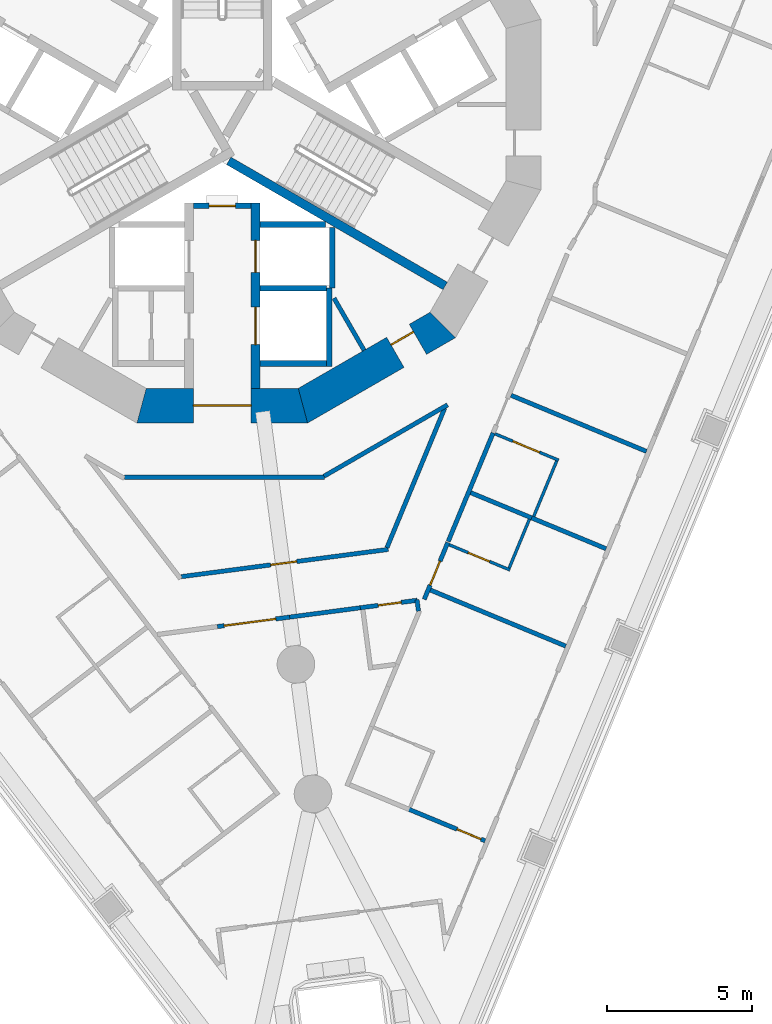
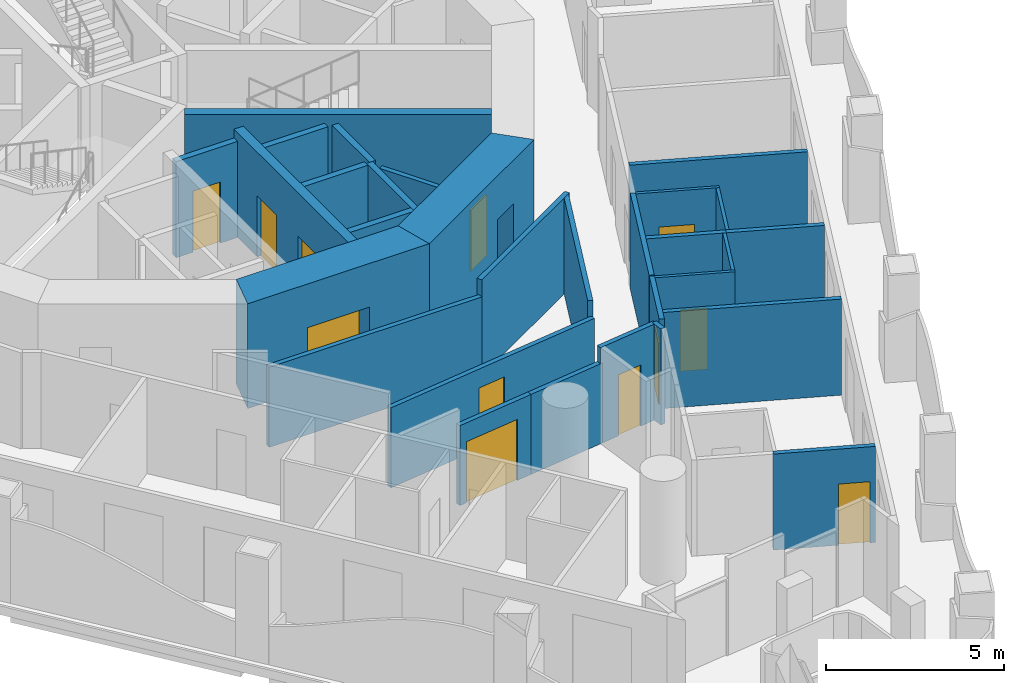
# One storey, part 4 of 19: 30 walls, 12 doors, 12 openings.
"""IFC4 building model written with IfcOpenShell, lengths in metres."""

from ifc_helpers import new_model, si_unit, direction, frame, frame_2d, origin, place, context, subcontext, project, spatial, polyline, rectangle, outline, extrude, material, layer, layer_set, type_object, element, fill, save


model = new_model("IFC4")

# Units and contexts
model_context = context("Model", 3, precision=1e-05, world=origin(), true_north=direction((0.0, 1.0)))
body_context = subcontext(model_context, "Body", "Model", "MODEL_VIEW")
ifc_project = project(units=[si_unit("LENGTHUNIT", "METRE"), si_unit("AREAUNIT", "SQUARE_METRE"), si_unit("VOLUMEUNIT", "CUBIC_METRE"), si_unit("PLANEANGLEUNIT", "RADIAN"), si_unit("MASSUNIT", "GRAM", prefix="KILO")], contexts=[model_context])

# Site, building, storey
site_placement = place(None, origin())
site = spatial("IfcSite", under=ifc_project, at=site_placement, CompositionType="ELEMENT")
building_placement = place(site_placement, origin())
building = spatial("IfcBuilding", under=site, at=building_placement, Name="Trine Commons Tower", CompositionType="ELEMENT")
storey_placement = place(building_placement, frame((0.0, 0.0, 64.800048828125)))
storey = spatial("IfcBuildingStorey", under=building, at=storey_placement, Name="L15", CompositionType="ELEMENT", Elevation=64.800048828125)

# Wall
ifc_material_1 = material(Name="Plasterboard partition on steel studs", Category="steel")
ifc_layer_1 = layer(ifc_material_1, 0.14990234375)
ifc_layer_set_1 = layer_set([ifc_layer_1], Name="Plasterboard partition on steel studs")
wall_type_1 = type_object("IfcWallType", Name="Core room partition 150 mm, EI 60", PredefinedType="PARTITIONING", material=ifc_layer_set_1)
wall_1_placement = place(storey_placement, frame((84.905029296875, 54.0029296875, 0.0), z_axis=(0.0, 0.0, 1.0), x_axis=(-0.5000780968, 0.865980309881, 0.0)))
element("IfcWall", 1, at=wall_1_placement, inside=storey, type_object=wall_type_1, Name="Core room partition L15", PredefinedType="PARTITIONING", context=body_context, shape_type="SweptSolid", body=[
    extrude(rectangle(XDim=2.079833984375, YDim=0.14990234375, at=frame_2d((1.0400390625, 0.0))), origin(), (0.0, 0.0, 1.0), 3.300048828125),
])

# Wall, opening, door
ifc_material_2 = material(Name="Fire-rated gypsum shaft wall system")
ifc_layer_2 = layer(ifc_material_2, 0.199951171875)
ifc_layer_set_2 = layer_set([ifc_layer_2], Name="Fire-rated gypsum shaft wall system")
wall_type_2 = type_object("IfcWallType", Name="Lobby end wall 200 mm, EI 120", PredefinedType="PARTITIONING", material=ifc_layer_set_2)
wall_2_placement = place(storey_placement, frame((79.0, 59.0, 0.0), z_axis=(0.0, 0.0, 1.0), x_axis=(1.0, 0.0, 0.0)))
wall_2 = element("IfcWall", 2, at=wall_2_placement, inside=storey, type_object=wall_type_2, Name="Lobby end wall L15", PredefinedType="PARTITIONING", context=body_context, shape_type="SweptSolid", body=[
    extrude(rectangle(XDim=2.0, YDim=0.199951171875, at=frame_2d((1.0, 0.0))), origin(), (0.0, 0.0, 1.0), 3.300048828125),
])
opening_1_placement = place(wall_2_placement, frame((0.550048828125, 0.0, 0.0)))
opening_1 = element("IfcOpeningElement", 3, at=opening_1_placement, cuts=wall_2, Name="Opening K06.09", PredefinedType="OPENING", context=body_context, shape_type="SweptSolid", body=[
    extrude(rectangle(XDim=0.89990234375, YDim=2.10009765625, at=frame_2d((0.449951171875, 1.050048828125))), frame((0.0, 0.10986328125, 0.0), z_axis=(0.0, -1.0, 0.0), x_axis=(1.0, 0.0, 0.0)), (0.0, 0.0, 1.0), 0.219970703125),
])
ifc_material_3 = material(Name="Steel door leaf, fire-rated", Category="steel")
door_type_1 = type_object("IfcDoorType", Name="Riser access door, single leaf 900 x 2100, FD60", OperationType="SINGLE_SWING_LEFT", PredefinedType="DOOR", material=ifc_material_3)
door_1_placement = place(opening_1_placement, frame((0.89990234375, 0.0, 0.0), z_axis=(0.0, 0.0, 1.0), x_axis=(-1.0, 0.0, 0.0)))
door_1 = element("IfcDoor", 4, at=door_1_placement, inside=storey, type_object=door_type_1, Name="Riser door, Communications riser L15", OperationType="SINGLE_SWING_RIGHT", OverallHeight=2.10009765625, OverallWidth=0.89990234375, PredefinedType="DOOR", context=body_context, shape_type="SweptSolid", body=[
    extrude(rectangle(XDim=0.89990234375, YDim=2.10009765625, at=frame_2d((0.449951171875, 1.050048828125))), frame((0.0, 0.02490234375, 0.0), z_axis=(0.0, -1.0, 0.0), x_axis=(1.0, 0.0, 0.0)), (0.0, 0.0, 1.0), 0.050048828125),
])
fill(opening_1, door_1)

ifc_material_4 = material(Name="Concrete C80/95", Category="concrete")
ifc_layer_3 = layer(ifc_material_4, 1.199951171875)
ifc_layer_set_3 = layer_set([ifc_layer_3], Name="Concrete C80/95")
wall_type_3 = type_object("IfcWallType", Name="RC shear wall 1200 mm, C80/95", PredefinedType="SHEAR", material=ifc_layer_set_3)
wall_3_placement = place(storey_placement, frame((77.049560546875, 52.08837890625, 0.0), z_axis=(0.0, 0.0, 1.0), x_axis=(1.0, 0.0, 0.0)))
wall_3 = element("IfcWall", 5, at=wall_3_placement, inside=storey, type_object=wall_type_3, Name="Core wall CWB-10 L15", PredefinedType="SHEAR", context=body_context, shape_type="SweptSolid", body=[
    extrude(outline(polyline([(0.0, -0.60009765625), (5.90087890625, -0.60009765625), (5.57958984375, 0.60009765625), (0.321533203125, 0.60009765625), (0.0, -0.60009765625)])), origin(), (0.0, 0.0, 1.0), 3.599853515625),
])
opening_2_placement = place(wall_3_placement, frame((1.950439453125, 0.0, 0.0)))
opening_2 = element("IfcOpeningElement", 6, at=opening_2_placement, cuts=wall_3, Name="Opening K06.08", PredefinedType="OPENING", context=body_context, shape_type="SweptSolid", body=[
    extrude(rectangle(XDim=2.0, YDim=2.10009765625, at=frame_2d((1.0, 1.050048828125))), frame((0.0, 0.60986328125, 0.0), z_axis=(0.0, -1.0, 0.0), x_axis=(1.0, 0.0, 0.0)), (0.0, 0.0, 1.0), 1.219970703125),
])
ifc_material_5 = material(Name="Steel door leaves, fire-rated", Category="steel")
door_type_2 = type_object("IfcDoorType", Name="Lobby door, double leaf 2000 x 2100, FD60", OperationType="DOUBLE_DOOR_SINGLE_SWING", PredefinedType="DOOR", material=ifc_material_5)
door_2_placement = place(opening_2_placement, origin())
door_2 = element("IfcDoor", 7, at=door_2_placement, inside=storey, type_object=door_type_2, Name="Lobby door, Service and firefighting lobby L15", OperationType="DOUBLE_DOOR_SINGLE_SWING", OverallHeight=2.10009765625, OverallWidth=2.0, PredefinedType="DOOR", context=body_context, shape_type="SweptSolid", body=[
    extrude(rectangle(XDim=2.0, YDim=2.10009765625, at=frame_2d((1.0, 1.050048828125))), frame((0.0, 0.02490234375, 0.0), z_axis=(0.0, -1.0, 0.0), x_axis=(1.0, 0.0, 0.0)), (0.0, 0.0, 1.0), 0.050048828125),
])
fill(opening_2, door_2)

wall_4_placement = place(storey_placement, frame((82.650390625, 52.008056640625, 0.0), z_axis=(0.0, 0.0, 1.0), x_axis=(0.866037463336, 0.499979111662, 0.0)))
wall_4 = element("IfcWall", 8, at=wall_4_placement, inside=storey, type_object=wall_type_3, Name="Core wall CWB-11 L15", PredefinedType="SHEAR", context=body_context, shape_type="SweptSolid", body=[
    extrude(outline(polyline([(0.0, -0.60009765625), (5.901123046875, -0.60009765625), (5.57958984375, 0.60009765625), (0.321533203125, 0.60009765625), (0.0, -0.60009765625)])), origin(), (0.0, 0.0, 1.0), 3.599853515625),
])
opening_3_placement = place(wall_4_placement, frame((3.849853515625, 0.0, 0.0)))
opening_3 = element("IfcOpeningElement", 9, at=opening_3_placement, cuts=wall_4, Name="Opening K06.16", PredefinedType="OPENING", context=body_context, shape_type="SweptSolid", body=[
    extrude(rectangle(XDim=0.89990234375, YDim=2.10009765625, at=frame_2d((0.449951171875, 1.050048828125))), frame((0.0, 0.60986328125, 0.0), z_axis=(0.0, -1.0, 0.0), x_axis=(1.0, 0.0, 0.0)), (0.0, 0.0, 1.0), 1.219970703125),
])
door_type_3 = type_object("IfcDoorType", Name="Core room door, single leaf 900 x 2100, FD30S", OperationType="SINGLE_SWING_LEFT", PredefinedType="DOOR", material=ifc_material_3)
door_3_placement = place(opening_3_placement, origin())
door_3 = element("IfcDoor", 10, at=door_3_placement, inside=storey, type_object=door_type_3, Name="Door to Cleaner's store L15", OperationType="SINGLE_SWING_RIGHT", OverallHeight=2.10009765625, OverallWidth=0.89990234375, PredefinedType="DOOR", context=body_context, shape_type="SweptSolid", body=[
    extrude(rectangle(XDim=0.89990234375, YDim=2.10009765625, at=frame_2d((0.449951171875, 1.050048828125))), frame((0.0, 0.3251953125, 0.0), z_axis=(0.0, -1.0, 0.0), x_axis=(1.0, 0.0, 0.0)), (0.0, 0.0, 1.0), 0.050048828125),
])
fill(opening_3, door_3)

# Wall, openings, doors
ifc_layer_4 = layer(ifc_material_4, 0.300048828125)
ifc_layer_set_4 = layer_set([ifc_layer_4], Name="Concrete C80/95")
wall_type_4 = type_object("IfcWallType", Name="RC shear wall 300 mm, C80/95", PredefinedType="SHEAR", material=ifc_layer_set_4)
wall_5_placement = place(storey_placement, frame((81.14990234375, 59.10009765625, 0.0), z_axis=(0.0, 0.0, 1.0), x_axis=(0.0, -1.0, 0.0)))
wall_5 = element("IfcWall", 11, at=wall_5_placement, inside=storey, type_object=wall_type_4, Name="Core cross wall SWA-04 L15", PredefinedType="SHEAR", context=body_context, shape_type="SweptSolid", body=[
    extrude(rectangle(XDim=6.412109375, YDim=0.300048828125, at=frame_2d((3.2060546875, 0.0))), origin(), (0.0, 0.0, 1.0), 3.599853515625),
])
opening_4_placement = place(wall_5_placement, frame((3.60009765625, 0.0, 0.0)))
opening_4 = element("IfcOpeningElement", 12, at=opening_4_placement, cuts=wall_5, Name="Opening LD11", PredefinedType="OPENING", context=body_context, shape_type="SweptSolid", body=[
    extrude(rectangle(XDim=1.300048828125, YDim=2.10009765625, at=frame_2d((0.64990234375, 1.050048828125))), frame((0.0, 0.159912109375, 0.0), z_axis=(0.0, -1.0, 0.0), x_axis=(1.0, 0.0, 0.0)), (0.0, 0.0, 1.0), 0.320068359375),
])
opening_5_placement = place(wall_5_placement, frame((1.300048828125, 0.0, 0.0)))
opening_5 = element("IfcOpeningElement", 13, at=opening_5_placement, cuts=wall_5, Name="Opening LD9", PredefinedType="OPENING", context=body_context, shape_type="SweptSolid", body=[
    extrude(rectangle(XDim=1.10009765625, YDim=2.10009765625, at=frame_2d((0.550048828125, 1.050048828125))), frame((0.0, 0.159912109375, 0.0), z_axis=(0.0, -1.0, 0.0), x_axis=(1.0, 0.0, 0.0)), (0.0, 0.0, 1.0), 0.320068359375),
])
ifc_material_6 = material(Name="Stainless steel sliding door leaves", Category="steel")
door_type_4 = type_object("IfcDoorType", Name="Lift landing door, centre-opening sliding 1100 x 2100, FD90", OperationType="DOUBLE_DOOR_SLIDING", PredefinedType="DOOR", material=ifc_material_6)
door_4_placement = place(opening_5_placement, origin())
door_4 = element("IfcDoor", 14, at=door_4_placement, inside=storey, type_object=door_type_4, Name="Lift landing door FF1 L15", OperationType="DOUBLE_DOOR_SLIDING", OverallHeight=2.10009765625, OverallWidth=1.10009765625, PredefinedType="DOOR", context=body_context, shape_type="SweptSolid", body=[
    extrude(rectangle(XDim=1.10009765625, YDim=2.10009765625, at=frame_2d((0.550048828125, 1.050048828125))), frame((0.0, 0.02490234375, 0.0), z_axis=(0.0, -1.0, 0.0), x_axis=(1.0, 0.0, 0.0)), (0.0, 0.0, 1.0), 0.050048828125),
])
fill(opening_5, door_4)
door_type_5 = type_object("IfcDoorType", Name="Lift landing door, centre-opening sliding 1300 x 2100, FD90", OperationType="DOUBLE_DOOR_SLIDING", PredefinedType="DOOR", material=ifc_material_6)
door_5_placement = place(opening_4_placement, origin())
door_5 = element("IfcDoor", 15, at=door_5_placement, inside=storey, type_object=door_type_5, Name="Lift landing door G1 L15", OperationType="DOUBLE_DOOR_SLIDING", OverallHeight=2.10009765625, OverallWidth=1.300048828125, PredefinedType="DOOR", context=body_context, shape_type="SweptSolid", body=[
    extrude(rectangle(XDim=1.300048828125, YDim=2.10009765625, at=frame_2d((0.64990234375, 1.050048828125))), frame((0.0, 0.02490234375, 0.0), z_axis=(0.0, -1.0, 0.0), x_axis=(1.0, 0.0, 0.0)), (0.0, 0.0, 1.0), 0.050048828125),
])
fill(opening_4, door_5)

# Walls
wall_6_placement = place(storey_placement, frame((80.22509765625, 60.552001953125, 0.0), z_axis=(0.0, 0.0, 1.0), x_axis=(0.865965399159, -0.500103916661, 0.0)))
element("IfcWall", 16, at=wall_6_placement, inside=storey, type_object=wall_type_4, Name="Core cross wall SWA-13 L15", PredefinedType="SHEAR", context=body_context, shape_type="SweptSolid", body=[
    extrude(rectangle(XDim=8.642333984375, YDim=0.300048828125, at=frame_2d((4.3212890625, 0.0))), origin(), (0.0, 0.0, 1.0), 3.599853515625),
])
ifc_layer_5 = layer(ifc_material_2, 0.199951171875)
ifc_layer_set_5 = layer_set([ifc_layer_5], Name="Fire-rated gypsum shaft wall system")
wall_type_5 = type_object("IfcWallType", Name="Shaft wall 200 mm, EI 120", PredefinedType="PARTITIONING", material=ifc_layer_set_5)
for number, where, z_axis, x_axis, name in (
    (17, (81.300048828125, 53.550048828125, 0.0), (0.0, 0.0, 1.0), (1.0, 0.0, 0.0), "Shaft wall L15"),
    (18, (81.300048828125, 56.14990234375, 0.0), (0.0, 0.0, 1.0), (1.0, 0.0, 0.0), "Shaft wall L15"),
):
    element("IfcWall", number, at=place(storey_placement, frame(where, z_axis=z_axis, x_axis=x_axis)), inside=storey, type_object=wall_type_5, Name=name, PredefinedType="PARTITIONING", context=body_context, shape_type="SweptSolid", body=[
        extrude(rectangle(XDim=2.300048828125, YDim=0.199951171875, at=frame_2d((1.14990234375, 0.0))), origin(), (0.0, 0.0, 1.0), 3.300048828125),
    ])
wall_7_placement = place(storey_placement, frame((81.300048828125, 58.35009765625, 0.0), z_axis=(0.0, 0.0, 1.0), x_axis=(1.0, 0.0, 0.0)))
element("IfcWall", 19, at=wall_7_placement, inside=storey, type_object=wall_type_5, Name="Shaft wall L15", PredefinedType="PARTITIONING", context=body_context, shape_type="SweptSolid", body=[
    extrude(rectangle(XDim=2.264892578125, YDim=0.199951171875, at=frame_2d((1.13232421875, 0.0))), origin(), (0.0, 0.0, 1.0), 3.300048828125),
])
wall_8_placement = place(storey_placement, frame((83.699951171875, 56.14990234375, 0.0), z_axis=(0.0, 0.0, 1.0), x_axis=(0.0, -1.0, 0.0)))
element("IfcWall", 20, at=wall_8_placement, inside=storey, type_object=wall_type_5, Name="Shaft wall L15", PredefinedType="PARTITIONING", context=body_context, shape_type="SweptSolid", body=[
    extrude(rectangle(XDim=2.699951171875, YDim=0.199951171875, at=frame_2d((1.35009765625, 0.0))), origin(), (0.0, 0.0, 1.0), 3.300048828125),
])
wall_9_placement = place(storey_placement, frame((83.800048828125, 58.256103515625, 0.0), z_axis=(0.0, 0.0, 1.0), x_axis=(0.0, -1.0, 0.0)))
element("IfcWall", 21, at=wall_9_placement, inside=storey, type_object=wall_type_5, Name="Shaft wall L15", PredefinedType="PARTITIONING", context=body_context, shape_type="SweptSolid", body=[
    extrude(rectangle(XDim=2.106201171875, YDim=0.199951171875, at=frame_2d((1.05322265625, 0.0))), origin(), (0.0, 0.0, 1.0), 3.300048828125),
])
ifc_material_7 = material(Name="Gypsum plasterboard on steel stud", Category="steel")
ifc_layer_6 = layer(ifc_material_7, 0.14990234375)
ifc_layer_set_6 = layer_set([ifc_layer_6], Name="Gypsum plasterboard on steel stud")
wall_type_6 = type_object("IfcWallType", Name="Unit and corridor wall 150 mm, EI 60", PredefinedType="PARTITIONING", material=ifc_layer_set_6)
wall_10_placement = place(storey_placement, frame((76.6220703125, 49.613037109375, 0.0), z_axis=(0.0, 0.0, 1.0), x_axis=(1.0, 0.0, 0.0)))
element("IfcWall", 22, at=wall_10_placement, inside=storey, type_object=wall_type_6, Name="Partition 070", PredefinedType="PARTITIONING", context=body_context, shape_type="SweptSolid", body=[
    extrude(rectangle(XDim=6.906005859375, YDim=0.14990234375, at=frame_2d((3.453125, 0.0))), origin(), (0.0, 0.0, 1.0), 2.75),
])

# Wall, opening, door
wall_11_placement = place(storey_placement, frame((78.58642578125, 46.177734375, 0.0), z_axis=(0.0, 0.0, 1.0), x_axis=(0.991437356371, 0.130583185714, 0.0)))
wall_11 = element("IfcWall", 23, at=wall_11_placement, inside=storey, type_object=wall_type_6, Name="Partition 076", PredefinedType="PARTITIONING", context=body_context, shape_type="SweptSolid", body=[
    extrude(rectangle(XDim=7.21484375, YDim=0.14990234375, at=frame_2d((3.607421875, 0.0))), origin(), (0.0, 0.0, 1.0), 2.75),
])
opening_6_placement = place(wall_11_placement, frame((3.119873046875, 0.0, 0.0)))
opening_6 = element("IfcOpeningElement", 24, at=opening_6_placement, cuts=wall_11, Name="Opening D-2B31", PredefinedType="OPENING", context=body_context, shape_type="SweptSolid", body=[
    extrude(rectangle(XDim=0.89990234375, YDim=2.10009765625, at=frame_2d((0.449951171875, 1.050048828125))), frame((0.0, 0.0849609375, 0.0), z_axis=(0.0, -1.0, 0.0), x_axis=(1.0, 0.0, 0.0)), (0.0, 0.0, 1.0), 0.169921875),
])
ifc_material_8 = material(Name="Timber fire door set", Category="wood")
door_type_6 = type_object("IfcDoorType", Name="Service door 900 x 2100, FD30S", OperationType="NOTDEFINED", PredefinedType="DOOR", material=ifc_material_8)
door_6_placement = place(opening_6_placement, origin())
door_6 = element("IfcDoor", 25, at=door_6_placement, inside=storey, type_object=door_type_6, Name="Door D-2B31", OperationType="SINGLE_SWING_LEFT", OverallHeight=2.10009765625, OverallWidth=0.89990234375, PredefinedType="DOOR", context=body_context, shape_type="SweptSolid", body=[
    extrude(rectangle(XDim=0.89990234375, YDim=2.10009765625, at=frame_2d((0.449951171875, 1.050048828125))), frame((0.0, 0.02490234375, 0.0), z_axis=(0.0, -1.0, 0.0), x_axis=(1.0, 0.0, 0.0)), (0.0, 0.0, 1.0), 0.050048828125),
])
fill(opening_6, door_6)

wall_12_placement = place(storey_placement, frame((79.830078125, 44.450927734375, 0.0), z_axis=(0.0, 0.0, 1.0), x_axis=(0.991466141497, 0.130364451691, 0.0)))
wall_12 = element("IfcWall", 26, at=wall_12_placement, inside=storey, type_object=wall_type_6, Name="Partition 080", PredefinedType="PARTITIONING", context=body_context, shape_type="SweptSolid", body=[
    extrude(rectangle(XDim=2.5244140625, YDim=0.14990234375, at=frame_2d((1.26220703125, 0.0))), origin(), (0.0, 0.0, 1.0), 2.75),
])
opening_7_placement = place(wall_12_placement, frame((0.23486328125, 0.0, 0.0)))
opening_7 = element("IfcOpeningElement", 27, at=opening_7_placement, cuts=wall_12, Name="Opening D-2B02", PredefinedType="OPENING", context=body_context, shape_type="SweptSolid", body=[
    extrude(rectangle(XDim=1.800048828125, YDim=2.10009765625, at=frame_2d((0.89990234375, 1.050048828125))), frame((0.0, 0.0849609375, 0.0), z_axis=(0.0, -1.0, 0.0), x_axis=(1.0, 0.0, 0.0)), (0.0, 0.0, 1.0), 0.169921875),
])
door_type_7 = type_object("IfcDoorType", Name="Cluster entrance door 1800 x 2100, double leaf, FD30S", OperationType="DOUBLE_DOOR_DOUBLE_SWING", PredefinedType="DOOR", material=ifc_material_8)
door_7_placement = place(opening_7_placement, frame((1.800048828125, 0.0, 0.0), z_axis=(0.0, 0.0, 1.0), x_axis=(-1.0, 0.0, 0.0)))
door_7 = element("IfcDoor", 28, at=door_7_placement, inside=storey, type_object=door_type_7, Name="Door D-2B02", OperationType="DOUBLE_DOOR_DOUBLE_SWING", OverallHeight=2.10009765625, OverallWidth=1.800048828125, PredefinedType="DOOR", context=body_context, shape_type="SweptSolid", body=[
    extrude(rectangle(XDim=1.800048828125, YDim=2.10009765625, at=frame_2d((0.89990234375, 1.050048828125))), frame((0.0, 0.02490234375, 0.0), z_axis=(0.0, -1.0, 0.0), x_axis=(1.0, 0.0, 0.0)), (0.0, 0.0, 1.0), 0.050048828125),
])
fill(opening_7, door_7)

# Walls
wall_13_placement = place(storey_placement, frame((82.3330078125, 44.780029296875, 0.0), z_axis=(0.0, 0.0, 1.0), x_axis=(0.991416071527, 0.130744686764, 0.0)))
element("IfcWall", 29, at=wall_13_placement, inside=storey, type_object=wall_type_6, Name="Partition 082", PredefinedType="PARTITIONING", context=body_context, shape_type="SweptSolid", body=[
    extrude(rectangle(XDim=2.524658203125, YDim=0.14990234375, at=frame_2d((1.26220703125, 0.0))), origin(), (0.0, 0.0, 1.0), 2.75),
])
wall_14_placement = place(storey_placement, frame((83.517822265625, 49.650390625, 0.0), z_axis=(0.0, 0.0, 1.0), x_axis=(0.865971288988, 0.500093717866, 0.0)))
element("IfcWall", 30, at=wall_14_placement, inside=storey, type_object=wall_type_6, Name="Partition 084", PredefinedType="PARTITIONING", context=body_context, shape_type="SweptSolid", body=[
    extrude(rectangle(XDim=4.93310546875, YDim=0.14990234375, at=frame_2d((2.466552734375, 0.0))), origin(), (0.0, 0.0, 1.0), 3.300048828125),
])

# Wall, opening, door
wall_15_placement = place(storey_placement, frame((84.772705078125, 45.102294921875, 0.0), z_axis=(0.0, 0.0, 1.0), x_axis=(0.991450105095, 0.130486356022, 0.0)))
wall_15 = element("IfcWall", 31, at=wall_15_placement, inside=storey, type_object=wall_type_6, Name="Partition 087", PredefinedType="PARTITIONING", context=body_context, shape_type="SweptSolid", body=[
    extrude(rectangle(XDim=1.983154296875, YDim=0.14990234375, at=frame_2d((0.99169921875, 0.0))), origin(), (0.0, 0.0, 1.0), 3.300048828125),
])
opening_8_placement = place(wall_15_placement, frame((0.629150390625, 0.0, 0.0)))
opening_8 = element("IfcOpeningElement", 32, at=opening_8_placement, cuts=wall_15, Name="Opening D-2B05", PredefinedType="OPENING", context=body_context, shape_type="SweptSolid", body=[
    extrude(rectangle(XDim=0.800048828125, YDim=2.10009765625, at=frame_2d((0.39990234375, 1.050048828125))), frame((0.0, 0.0849609375, 0.0), z_axis=(0.0, -1.0, 0.0), x_axis=(1.0, 0.0, 0.0)), (0.0, 0.0, 1.0), 0.169921875),
])
ifc_material_9 = material(Name="Painted timber", Category="wood")
door_type_8 = type_object("IfcDoorType", Name="Toilet door 800 x 2100, NOT RATED", OperationType="NOTDEFINED", PredefinedType="DOOR", material=ifc_material_9)
door_8_placement = place(opening_8_placement, frame((0.800048828125, 0.0, 0.0), z_axis=(0.0, 0.0, 1.0), x_axis=(-1.0, 0.0, 0.0)))
door_8 = element("IfcDoor", 33, at=door_8_placement, inside=storey, type_object=door_type_8, Name="Door D-2B05", OperationType="SINGLE_SWING_LEFT", OverallHeight=2.10009765625, OverallWidth=0.800048828125, PredefinedType="DOOR", context=body_context, shape_type="SweptSolid", body=[
    extrude(rectangle(XDim=0.800048828125, YDim=2.10009765625, at=frame_2d((0.39990234375, 1.050048828125))), frame((0.0, 0.02490234375, 0.0), z_axis=(0.0, -1.0, 0.0), x_axis=(1.0, 0.0, 0.0)), (0.0, 0.0, 1.0), 0.050048828125),
])
fill(opening_8, door_8)

# Wall
wall_16_placement = place(storey_placement, frame((85.693603515625, 47.17919921875, 0.0), z_axis=(0.0, 0.0, 1.0), x_axis=(0.382564920946, 0.923928612643, 0.0)))
element("IfcWall", 34, at=wall_16_placement, inside=storey, type_object=wall_type_6, Name="Partition 094", PredefinedType="PARTITIONING", context=body_context, shape_type="SweptSolid", body=[
    extrude(rectangle(XDim=5.227294921875, YDim=0.14990234375, at=frame_2d((2.61376953125, 0.0))), origin(), (0.0, 0.0, 1.0), 3.300048828125),
])

# Wall, opening, door
wall_17_placement = place(storey_placement, frame((86.413818359375, 38.151123046875, 0.0), z_axis=(0.0, 0.0, 1.0), x_axis=(0.923916054036, -0.382595249703, 0.0)))
wall_17 = element("IfcWall", 35, at=wall_17_placement, inside=storey, type_object=wall_type_6, Name="Partition 097", PredefinedType="PARTITIONING", context=body_context, shape_type="SweptSolid", body=[
    extrude(rectangle(XDim=2.893310546875, YDim=0.14990234375, at=frame_2d((1.44677734375, 0.0))), origin(), (0.0, 0.0, 1.0), 3.300048828125),
])
opening_9_placement = place(wall_17_placement, frame((1.84326171875, 0.0, 0.0)))
opening_9 = element("IfcOpeningElement", 36, at=opening_9_placement, cuts=wall_17, Name="Opening D-2B22", PredefinedType="OPENING", context=body_context, shape_type="SweptSolid", body=[
    extrude(rectangle(XDim=0.89990234375, YDim=2.10009765625, at=frame_2d((0.449951171875, 1.050048828125))), frame((0.0, 0.0849609375, 0.0), z_axis=(0.0, -1.0, 0.0), x_axis=(1.0, 0.0, 0.0)), (0.0, 0.0, 1.0), 0.169921875),
])
door_type_9 = type_object("IfcDoorType", Name="Bedroom door 900 x 2100, FD30S", OperationType="NOTDEFINED", PredefinedType="DOOR", material=ifc_material_8)
door_9_placement = place(opening_9_placement, origin())
door_9 = element("IfcDoor", 37, at=door_9_placement, inside=storey, type_object=door_type_9, Name="Door D-2B22", OperationType="SINGLE_SWING_RIGHT", OverallHeight=2.10009765625, OverallWidth=0.89990234375, PredefinedType="DOOR", context=body_context, shape_type="SweptSolid", body=[
    extrude(rectangle(XDim=0.89990234375, YDim=2.10009765625, at=frame_2d((0.449951171875, 1.050048828125))), frame((0.0, 0.02490234375, 0.0), z_axis=(0.0, -1.0, 0.0), x_axis=(1.0, 0.0, 0.0)), (0.0, 0.0, 1.0), 0.050048828125),
])
fill(opening_9, door_9)

# Wall
wall_18_placement = place(storey_placement, frame((86.732177734375, 45.380859375, 0.0), z_axis=(0.0, 0.0, 1.0), x_axis=(0.131843859112, -0.99127049629, 0.0)))
element("IfcWall", 38, at=wall_18_placement, inside=storey, type_object=wall_type_6, Name="Partition 099", PredefinedType="PARTITIONING", context=body_context, shape_type="SweptSolid", body=[
    extrude(rectangle(XDim=0.39990234375, YDim=0.14990234375, at=frame_2d((0.199951171875, 0.0))), origin(), (0.0, 0.0, 1.0), 3.300048828125),
])

# Wall, opening, door
wall_19_placement = place(storey_placement, frame((86.98291015625, 45.39306640625, 0.0), z_axis=(0.0, 0.0, 1.0), x_axis=(0.382618621816, 0.923906375257, 0.0)))
wall_19 = element("IfcWall", 39, at=wall_19_placement, inside=storey, type_object=wall_type_6, Name="Partition 100", PredefinedType="PARTITIONING", context=body_context, shape_type="SweptSolid", body=[
    extrude(rectangle(XDim=2.1279296875, YDim=0.14990234375, at=frame_2d((1.06396484375, 0.0))), origin(), (0.0, 0.0, 1.0), 3.300048828125),
])
opening_10_placement = place(wall_19_placement, frame((0.52978515625, 0.0, 0.0)))
opening_10 = element("IfcOpeningElement", 40, at=opening_10_placement, cuts=wall_19, Name="Opening D-2B21", PredefinedType="OPENING", context=body_context, shape_type="SweptSolid", body=[
    extrude(rectangle(XDim=0.89990234375, YDim=2.10009765625, at=frame_2d((0.449951171875, 1.050048828125))), frame((0.0, 0.0849609375, 0.0), z_axis=(0.0, -1.0, 0.0), x_axis=(1.0, 0.0, 0.0)), (0.0, 0.0, 1.0), 0.169921875),
])
door_10_placement = place(opening_10_placement, frame((0.89990234375, 0.0, 0.0), z_axis=(0.0, 0.0, 1.0), x_axis=(-1.0, 0.0, 0.0)))
door_10 = element("IfcDoor", 41, at=door_10_placement, inside=storey, type_object=door_type_9, Name="Door D-2B21", OperationType="SINGLE_SWING_RIGHT", OverallHeight=2.10009765625, OverallWidth=0.89990234375, PredefinedType="DOOR", context=body_context, shape_type="SweptSolid", body=[
    extrude(rectangle(XDim=0.89990234375, YDim=2.10009765625, at=frame_2d((0.449951171875, 1.050048828125))), frame((0.0, 0.02490234375, 0.0), z_axis=(0.0, -1.0, 0.0), x_axis=(1.0, 0.0, 0.0)), (0.0, 0.0, 1.0), 0.050048828125),
])
fill(opening_10, door_10)

# Walls
wall_20_placement = place(storey_placement, frame((87.197265625, 45.71533203125, 0.0), z_axis=(0.0, 0.0, 1.0), x_axis=(0.923879340067, -0.382683896966, 0.0)))
element("IfcWall", 42, at=wall_20_placement, inside=storey, type_object=wall_type_6, Name="Partition 101", PredefinedType="PARTITIONING", context=body_context, shape_type="SweptSolid", body=[
    extrude(rectangle(XDim=5.064208984375, YDim=0.14990234375, at=frame_2d((2.5322265625, 0.0))), origin(), (0.0, 0.0, 1.0), 3.300048828125),
])
wall_21_placement = place(storey_placement, frame((87.81103515625, 47.39306640625, 0.0), z_axis=(0.0, 0.0, 1.0), x_axis=(0.382686112844, 0.923878422216, 0.0)))
element("IfcWall", 43, at=wall_21_placement, inside=storey, type_object=wall_type_6, Name="Partition 103", PredefinedType="PARTITIONING", context=body_context, shape_type="SweptSolid", body=[
    extrude(rectangle(XDim=4.063232421875, YDim=0.14990234375, at=frame_2d((2.03173828125, 0.0))), origin(), (0.0, 0.0, 1.0), 3.300048828125),
])
wall_22_placement = place(storey_placement, frame((88.59130859375, 49.081298828125, 0.0), z_axis=(0.0, 0.0, 1.0), x_axis=(0.924031187157, -0.382317100274, 0.0)))
element("IfcWall", 44, at=wall_22_placement, inside=storey, type_object=wall_type_6, Name="Partition 106", PredefinedType="PARTITIONING", context=body_context, shape_type="SweptSolid", body=[
    extrude(rectangle(XDim=2.279052734375, YDim=0.14990234375, at=frame_2d((1.1396484375, 0.0))), origin(), (0.0, 0.0, 1.0), 3.300048828125),
])
wall_23_placement = place(storey_placement, frame((89.986328125, 52.447265625, 0.0), z_axis=(0.0, 0.0, 1.0), x_axis=(0.923879340067, -0.382683896966, 0.0)))
element("IfcWall", 45, at=wall_23_placement, inside=storey, type_object=wall_type_6, Name="Partition 113", PredefinedType="PARTITIONING", context=body_context, shape_type="SweptSolid", body=[
    extrude(rectangle(XDim=5.064208984375, YDim=0.14990234375, at=frame_2d((2.5322265625, 0.0))), origin(), (0.0, 0.0, 1.0), 3.300048828125),
])
wall_24_placement = place(storey_placement, frame((90.69384765625, 48.211181640625, 0.0), z_axis=(0.0, 0.0, 1.0), x_axis=(0.923779882509, -0.382923920214, 0.0)))
element("IfcWall", 46, at=wall_24_placement, inside=storey, type_object=wall_type_6, Name="Partition 118", PredefinedType="PARTITIONING", context=body_context, shape_type="SweptSolid", body=[
    extrude(rectangle(XDim=2.788818359375, YDim=0.14990234375, at=frame_2d((1.39453125, 0.0))), origin(), (0.0, 0.0, 1.0), 3.300048828125),
])

# Wall, opening, door
ifc_layer_7 = layer(ifc_material_7, 0.10009765625)
ifc_layer_set_7 = layer_set([ifc_layer_7], Name="Gypsum plasterboard on steel stud")
wall_type_7 = type_object("IfcWallType", Name="Unit partition 100 mm, no rating", PredefinedType="PARTITIONING", material=ifc_layer_set_7)
wall_25_placement = place(storey_placement, frame((87.84521484375, 47.2802734375, 0.0), z_axis=(0.0, 0.0, 1.0), x_axis=(0.92378006954, -0.382923469012, 0.0)))
wall_25 = element("IfcWall", 47, at=wall_25_placement, inside=storey, type_object=wall_type_7, Name="Partition 102", PredefinedType="PARTITIONING", context=body_context, shape_type="SweptSolid", body=[
    extrude(rectangle(XDim=2.275390625, YDim=0.10009765625, at=frame_2d((1.1376953125, 0.0))), origin(), (0.0, 0.0, 1.0), 3.300048828125),
])
opening_11_placement = place(wall_25_placement, frame((0.712646484375, 0.0, 0.0)))
opening_11 = element("IfcOpeningElement", 48, at=opening_11_placement, cuts=wall_25, Name="Opening D-2B49", PredefinedType="OPENING", context=body_context, shape_type="SweptSolid", body=[
    extrude(rectangle(XDim=0.800048828125, YDim=2.10009765625, at=frame_2d((0.39990234375, 1.050048828125))), frame((0.0, 0.06005859375, 0.0), z_axis=(0.0, -1.0, 0.0), x_axis=(1.0, 0.0, 0.0)), (0.0, 0.0, 1.0), 0.1201171875),
])
door_type_10 = type_object("IfcDoorType", Name="Internal door 800 x 2100, NOT RATED", OperationType="NOTDEFINED", PredefinedType="DOOR", material=ifc_material_9)
door_11_placement = place(opening_11_placement, frame((0.800048828125, 0.0, 0.0), z_axis=(0.0, 0.0, 1.0), x_axis=(-1.0, 0.0, 0.0)))
door_11 = element("IfcDoor", 49, at=door_11_placement, inside=storey, type_object=door_type_10, Name="Door D-2B49", OperationType="SINGLE_SWING_RIGHT", OverallHeight=2.10009765625, OverallWidth=0.800048828125, PredefinedType="DOOR", context=body_context, shape_type="SweptSolid", body=[
    extrude(rectangle(XDim=0.800048828125, YDim=2.10009765625, at=frame_2d((0.39990234375, 1.050048828125))), frame((0.0, 0.02490234375, 0.0), z_axis=(0.0, -1.0, 0.0), x_axis=(1.0, 0.0, 0.0)), (0.0, 0.0, 1.0), 0.050048828125),
])
fill(opening_11, door_11)

wall_26_placement = place(storey_placement, frame((89.433349609375, 51.1142578125, 0.0), z_axis=(0.0, 0.0, 1.0), x_axis=(0.923835198522, -0.382790446551, 0.0)))
wall_26 = element("IfcWall", 50, at=wall_26_placement, inside=storey, type_object=wall_type_7, Name="Partition 109", PredefinedType="PARTITIONING", context=body_context, shape_type="SweptSolid", body=[
    extrude(rectangle(XDim=2.375732421875, YDim=0.10009765625, at=frame_2d((1.18798828125, 0.0))), origin(), (0.0, 0.0, 1.0), 3.300048828125),
])
opening_12_placement = place(wall_26_placement, frame((0.662841796875, 0.0, 0.0)))
opening_12 = element("IfcOpeningElement", 51, at=opening_12_placement, cuts=wall_26, Name="Opening D-2B48", PredefinedType="OPENING", context=body_context, shape_type="SweptSolid", body=[
    extrude(rectangle(XDim=1.0, YDim=2.10009765625, at=frame_2d((0.5, 1.050048828125))), frame((0.0, 0.06005859375, 0.0), z_axis=(0.0, -1.0, 0.0), x_axis=(1.0, 0.0, 0.0)), (0.0, 0.0, 1.0), 0.1201171875),
])
door_type_11 = type_object("IfcDoorType", Name="Internal door 1000 x 2100, NOT RATED", OperationType="NOTDEFINED", PredefinedType="DOOR", material=ifc_material_9)
door_12_placement = place(opening_12_placement, origin())
door_12 = element("IfcDoor", 52, at=door_12_placement, inside=storey, type_object=door_type_11, Name="Door D-2B48", OperationType="SINGLE_SWING_LEFT", OverallHeight=2.10009765625, OverallWidth=1.0, PredefinedType="DOOR", context=body_context, shape_type="SweptSolid", body=[
    extrude(rectangle(XDim=1.0, YDim=2.10009765625, at=frame_2d((0.5, 1.050048828125))), frame((0.0, 0.02490234375, 0.0), z_axis=(0.0, -1.0, 0.0), x_axis=(1.0, 0.0, 0.0)), (0.0, 0.0, 1.0), 0.050048828125),
])
fill(opening_12, door_12)

# Walls
wall_27_placement = place(storey_placement, frame((89.920166015625, 46.47412109375, 0.0), z_axis=(0.0, 0.0, 1.0), x_axis=(0.382525049986, 0.923945120737, 0.0)))
element("IfcWall", 53, at=wall_27_placement, inside=storey, type_object=wall_type_7, Name="Partition 112", PredefinedType="PARTITIONING", context=body_context, shape_type="SweptSolid", body=[
    extrude(rectangle(XDim=1.825439453125, YDim=0.10009765625, at=frame_2d((0.91259765625, 0.0))), origin(), (0.0, 0.0, 1.0), 3.300048828125),
])
wall_28_placement = place(storey_placement, frame((90.768798828125, 48.26123046875, 0.0), z_axis=(0.0, 0.0, 1.0), x_axis=(0.382826421446, 0.92382029153, 0.0)))
element("IfcWall", 54, at=wall_28_placement, inside=storey, type_object=wall_type_7, Name="Partition 117", PredefinedType="PARTITIONING", context=body_context, shape_type="SweptSolid", body=[
    extrude(rectangle(XDim=2.074462890625, YDim=0.10009765625, at=frame_2d((1.037109375, 0.0))), origin(), (0.0, 0.0, 1.0), 3.300048828125),
])

save(model, "model.ifc")
